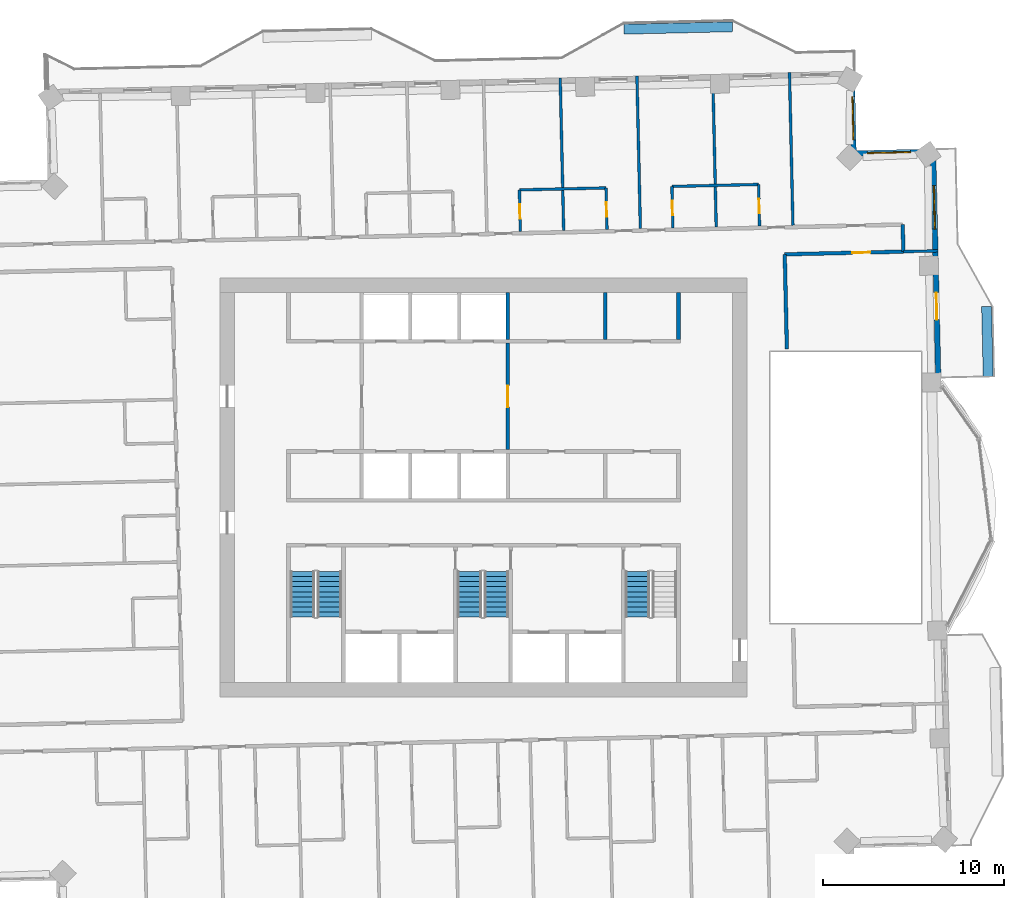
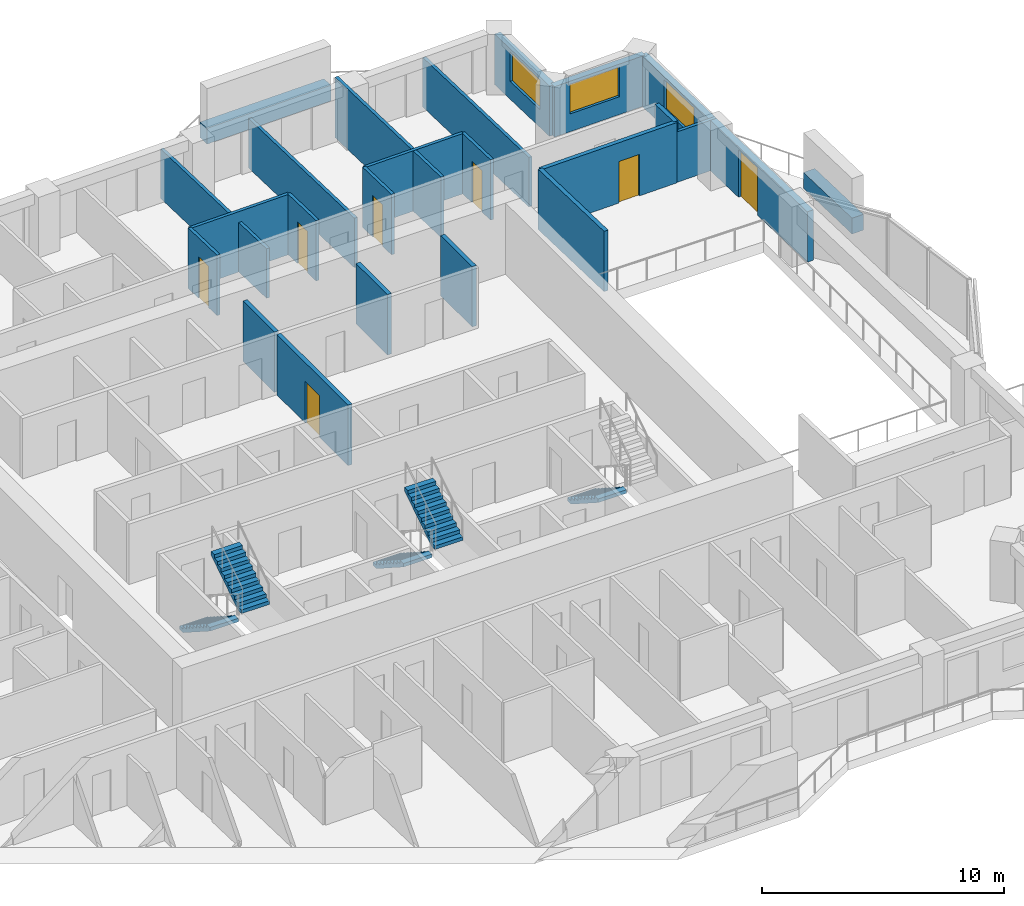
# One storey, part 12 of 17: 23 walls, 7 doors, 5 stair flights, 3 windows, 10 openings, 3 elements without a shape of their own.
"""IFC4 building model written with IfcOpenShell, lengths in metres."""

from ifc_helpers import new_model, si_unit, direction, frame, frame_2d, origin, place, context, subcontext, project, spatial, polyline, rectangle, outline, extrude, material, layer, layer_set, type_object, element, fill, aggregate, save


model = new_model("IFC4")

# Units and contexts
model_context = context("Model", 3, precision=1e-05, world=origin(), true_north=direction((0.0, 1.0)))
body_context = subcontext(model_context, "Body", "Model", "MODEL_VIEW")
ifc_project = project(units=[si_unit("LENGTHUNIT", "METRE"), si_unit("AREAUNIT", "SQUARE_METRE"), si_unit("VOLUMEUNIT", "CUBIC_METRE"), si_unit("PLANEANGLEUNIT", "RADIAN"), si_unit("MASSUNIT", "GRAM", prefix="KILO")], contexts=[model_context])

# Site, building, storey
site_placement = place(None, origin())
site = spatial("IfcSite", under=ifc_project, at=site_placement, CompositionType="ELEMENT")
building_placement = place(site_placement, origin())
building = spatial("IfcBuilding", under=site, at=building_placement, Name="Mangrove Gate Tower", CompositionType="ELEMENT")
storey_placement = place(building_placement, frame((0.0, 0.0, 241.89990234375)))
storey = spatial("IfcBuildingStorey", under=building, at=storey_placement, Name="L61", CompositionType="ELEMENT", Elevation=241.89990234375)

# Wall, opening, door
ifc_material_1 = material(Name="Concrete C32/40", Category="concrete")
ifc_layer_1 = layer(ifc_material_1, 0.199951171875)
ifc_layer_set_1 = layer_set([ifc_layer_1], Name="Core lobby wall 200 C32/40")
wall_type_1 = type_object("IfcWallType", Name="Core lobby wall 200 C32/40", PredefinedType="STANDARD", material=ifc_layer_set_1)
wall_1_placement = place(storey_placement, frame((1.35009765625, 2.10009765625, 0.0), z_axis=(0.0, 0.0, 1.0), x_axis=(0.0, 1.0, 0.0)))
wall_1 = element("IfcWall", 1, at=wall_1_placement, inside=storey, type_object=wall_type_1, Name="WALL-L61-CORE-34", PredefinedType="STANDARD", context=body_context, shape_type="SweptSolid", body=[
    extrude(rectangle(XDim=5.89990234375, YDim=0.199951171875, at=frame_2d((2.949951171875, 0.0))), origin(), (0.0, 0.0, 1.0), 3.050048828125),
])
opening_1_placement = place(wall_1_placement, frame((2.35009765625, 0.0, 0.0)))
opening_1 = element("IfcOpeningElement", 2, at=opening_1_placement, cuts=wall_1, Name="Opening FL12", PredefinedType="OPENING", context=body_context, shape_type="SweptSolid", body=[
    extrude(rectangle(XDim=1.199951171875, YDim=2.10009765625, at=frame_2d((0.60009765625, 1.050048828125))), frame((0.0, 0.10986328125, 0.0), z_axis=(0.0, -1.0, 0.0), x_axis=(1.0, 0.0, 0.0)), (0.0, 0.0, 1.0), 0.219970703125),
])
ifc_material_2 = material(Name="Fire-rated steel door set", Category="steel")
door_type_1 = type_object("IfcDoorType", Name="Lobby door FD60 1200x2100", OperationType="SINGLE_SWING_LEFT", PredefinedType="DOOR", material=ifc_material_2)
door_1_placement = place(opening_1_placement, origin())
door_1 = element("IfcDoor", 3, at=door_1_placement, inside=storey, type_object=door_type_1, Name="Lobby door lift lobby partition", OperationType="SINGLE_SWING_LEFT", OverallHeight=2.10009765625, OverallWidth=1.199951171875, PredefinedType="DOOR", context=body_context, shape_type="SweptSolid", body=[
    extrude(rectangle(XDim=1.199951171875, YDim=2.10009765625, at=frame_2d((0.60009765625, 1.050048828125))), frame((0.0, 0.02490234375, 0.0), z_axis=(0.0, -1.0, 0.0), x_axis=(1.0, 0.0, 0.0)), (0.0, 0.0, 1.0), 0.050048828125),
])
fill(opening_1, door_1)

# Walls
ifc_material_3 = material(Name="Concrete C32/40", Category="concrete")
ifc_layer_2 = layer(ifc_material_3, 0.199951171875)
ifc_layer_set_2 = layer_set([ifc_layer_2], Name="Core room wall 200 C32/40")
wall_type_2 = type_object("IfcWallType", Name="Core room wall 200 C32/40", PredefinedType="STANDARD", material=ifc_layer_set_2)
for number, where, z_axis, x_axis, name in (
    (4, (6.75, 8.199951171875, 0.0), (0.0, 0.0, 1.0), (0.0, 1.0, 0.0), "WALL-L61-CORE-31"),
    (5, (10.800048828125, 8.199951171875, 0.0), (0.0, 0.0, 1.0), (0.0, 1.0, 0.0), "WALL-L61-CORE-32"),
):
    element("IfcWall", number, at=place(storey_placement, frame(where, z_axis=z_axis, x_axis=x_axis)), inside=storey, type_object=wall_type_2, Name=name, PredefinedType="STANDARD", context=body_context, shape_type="SweptSolid", body=[
        extrude(rectangle(XDim=2.60009765625, YDim=0.199951171875, at=frame_2d((1.300048828125, 0.0))), origin(), (0.0, 0.0, 1.0), 3.050048828125),
    ])
ifc_material_4 = material(Name="Concrete C60/75", Category="concrete")
ifc_layer_3 = layer(ifc_material_4, 0.199951171875)
ifc_layer_set_3 = layer_set([ifc_layer_3], Name="Core shaft wall 200 C60/75")
wall_type_3 = type_object("IfcWallType", Name="Core shaft wall 200 C60/75", PredefinedType="SHEAR", material=ifc_layer_set_3)
wall_2_placement = place(storey_placement, frame((1.35009765625, 8.199951171875, 0.0), z_axis=(0.0, 0.0, 1.0), x_axis=(0.0, 1.0, 0.0)))
element("IfcWall", 6, at=wall_2_placement, inside=storey, type_object=wall_type_3, Name="WALL-L61-CORE-30", PredefinedType="SHEAR", context=body_context, shape_type="SweptSolid", body=[
    extrude(rectangle(XDim=2.60009765625, YDim=0.199951171875, at=frame_2d((1.300048828125, 0.0))), origin(), (0.0, 0.0, 1.0), 3.050048828125),
])
ifc_material_5 = material(Name="Gypsum board on steel stud, EI 60", Category="steel")
ifc_layer_4 = layer(ifc_material_5, 0.199951171875)
ifc_layer_set_4 = layer_set([ifc_layer_4], Name="Corridor wall EI 60")
wall_type_4 = type_object("IfcWallType", Name="Corridor wall EI 60", PredefinedType="PARTITIONING", material=ifc_layer_set_4)
wall_3_placement = place(storey_placement, frame((16.802978515625, 7.675048828125, 0.0), z_axis=(0.0, 0.0, 1.0), x_axis=(-0.022667483124, 0.999743059595, 0.0)))
element("IfcWall", 7, at=wall_3_placement, inside=storey, type_object=wall_type_4, Name="WALL-L61-049", PredefinedType="PARTITIONING", context=body_context, shape_type="SweptSolid", body=[
    extrude(rectangle(XDim=5.245361328125, YDim=0.199951171875, at=frame_2d((2.62255859375, 0.0))), origin(), (0.0, 0.0, 1.0), 3.050048828125),
])

# Wall, opening, door
wall_4_placement = place(storey_placement, frame((16.678955078125, 12.91796875, 0.0), z_axis=(0.0, 0.0, 1.0), x_axis=(0.999739125025, 0.022840356696, 0.0)))
wall_4 = element("IfcWall", 8, at=wall_4_placement, inside=storey, type_object=wall_type_4, Name="WALL-L61-055", PredefinedType="PARTITIONING", context=body_context, shape_type="SweptSolid", body=[
    extrude(rectangle(XDim=6.57373046875, YDim=0.199951171875, at=frame_2d((3.286865234375, 0.0))), origin(), (0.0, 0.0, 1.0), 3.050048828125),
])
opening_2_placement = place(wall_4_placement, frame((3.75, 0.0, 0.0)))
opening_2 = element("IfcOpeningElement", 9, at=opening_2_placement, cuts=wall_4, Name="Opening AD", PredefinedType="OPENING", context=body_context, shape_type="SweptSolid", body=[
    extrude(rectangle(XDim=1.0, YDim=2.10009765625, at=frame_2d((0.5, 1.050048828125))), frame((0.0, 0.10986328125, 0.0), z_axis=(0.0, -1.0, 0.0), x_axis=(1.0, 0.0, 0.0)), (0.0, 0.0, 1.0), 0.219970703125),
])
ifc_material_6 = material(Name="Timber door leaf", Category="wood")
door_type_2 = type_object("IfcDoorType", Name="Amenity door 1000", OperationType="SINGLE_SWING_LEFT", PredefinedType="DOOR", material=ifc_material_6)
door_2_placement = place(opening_2_placement, origin())
door_2 = element("IfcDoor", 10, at=door_2_placement, inside=storey, type_object=door_type_2, Name="DOOR-L61-GAM-c3a", OperationType="SINGLE_SWING_RIGHT", OverallHeight=2.10009765625, OverallWidth=1.0, PredefinedType="DOOR", context=body_context, shape_type="SweptSolid", body=[
    extrude(rectangle(XDim=1.0, YDim=2.10009765625, at=frame_2d((0.5, 1.050048828125))), frame((0.0, 0.02490234375, 0.0), z_axis=(0.0, -1.0, 0.0), x_axis=(1.0, 0.0, 0.0)), (0.0, 0.0, 1.0), 0.050048828125),
])
fill(opening_2, door_2)

# Wall
wall_5_placement = place(storey_placement, frame((23.251953125, 13.068115234375, 0.0), z_axis=(0.0, 0.0, 1.0), x_axis=(-0.022636322434, 0.999743765625, 0.0)))
element("IfcWall", 11, at=wall_5_placement, inside=storey, type_object=wall_type_4, Name="WALL-L61-057", PredefinedType="PARTITIONING", context=body_context, shape_type="SweptSolid", body=[
    extrude(rectangle(XDim=1.499267578125, YDim=0.199951171875, at=frame_2d((0.74951171875, 0.0))), origin(), (0.0, 0.0, 1.0), 3.050048828125),
])

# Wall, openings, door, window
ifc_material_7 = material(Name="Limestone", Category="masonry")
ifc_layer_5 = layer(ifc_material_7, 0.0400390625, Name="Limestone cladding")
ifc_material_8 = material(Name="Ventilated air gap")
ifc_layer_6 = layer(ifc_material_8, 0.0400390625, Name="Ventilated cavity")
ifc_material_9 = material(Name="Mineral wool insulation")
ifc_layer_7 = layer(ifc_material_9, 0.06005859375, Name="Insulation")
ifc_material_10 = material(Name="Breather membrane")
ifc_layer_8 = layer(ifc_material_10, 0.001953125, Name="Breather membrane")
ifc_material_11 = material(Name="Concrete C20/25 blockwork", Category="masonry")
ifc_layer_9 = layer(ifc_material_11, 0.14990234375, Name="Blockwork backing wall")
ifc_material_12 = material(Name="Gypsum plaster")
ifc_layer_10 = layer(ifc_material_12, 0.008056640625, Name="Internal plaster")
ifc_layer_set_5 = layer_set([ifc_layer_5, ifc_layer_6, ifc_layer_7, ifc_layer_8, ifc_layer_9, ifc_layer_10], Name="External wall 300 limestone cladding")
wall_type_5 = type_object("IfcWallType", Name="External wall 300 limestone cladding", PredefinedType="SOLIDWALL", material=ifc_layer_set_5)
wall_6_placement = place(storey_placement, frame((25.202880859375, 5.31005859375, 0.0), z_axis=(0.0, 0.0, 1.0), x_axis=(-0.022708061432, 0.999742138727, 0.0)))
wall_6 = element("IfcWall", 12, at=wall_6_placement, inside=storey, type_object=wall_type_5, Name="WALL-L61-E2s1", PredefinedType="SOLIDWALL", context=body_context, shape_type="SweptSolid", body=[
    extrude(rectangle(XDim=13.29931640625, YDim=0.300048828125, at=frame_2d((6.649658203125, 0.0))), origin(), (0.0, 0.0, 1.0), 2.550048828125),
])
opening_3_placement = place(wall_6_placement, frame((3.986083984375, 0.0, 0.0)))
opening_3 = element("IfcOpeningElement", 13, at=opening_3_placement, cuts=wall_6, Name="Opening BD1", PredefinedType="OPENING", context=body_context, shape_type="SweptSolid", body=[
    extrude(rectangle(XDim=1.5, YDim=2.39990234375, at=frame_2d((0.75, 1.199951171875))), frame((0.0, 0.159912109375, 0.0), z_axis=(0.0, -1.0, 0.0), x_axis=(1.0, 0.0, 0.0)), (0.0, 0.0, 1.0), 0.320068359375),
])
opening_4_placement = place(wall_6_placement, frame((9.012939453125, 0.0, 0.89990234375)))
opening_4 = element("IfcOpeningElement", 14, at=opening_4_placement, cuts=wall_6, Name="Opening W2", PredefinedType="OPENING", context=body_context, shape_type="SweptSolid", body=[
    extrude(rectangle(XDim=2.39990234375, YDim=1.5, at=frame_2d((1.199951171875, 0.75))), frame((0.0, 0.159912109375, 0.0), z_axis=(0.0, -1.0, 0.0), x_axis=(1.0, 0.0, 0.0)), (0.0, 0.0, 1.0), 0.320068359375),
])
ifc_material_13 = material(Name="Aluminium frame with laminated clear glass", Category="aluminium")
door_type_3 = type_object("IfcDoorType", Name="Balcony sliding door 1500x2400", OperationType="SLIDING_TO_LEFT", PredefinedType="DOOR", material=ifc_material_13)
door_3_placement = place(opening_3_placement, origin())
door_3 = element("IfcDoor", 15, at=door_3_placement, inside=storey, type_object=door_type_3, Name="DOOR-L61-E2-1", OperationType="SLIDING_TO_LEFT", OverallHeight=2.39990234375, OverallWidth=1.5, PredefinedType="DOOR", context=body_context, shape_type="SweptSolid", body=[
    extrude(rectangle(XDim=1.5, YDim=2.39990234375, at=frame_2d((0.75, 1.199951171875))), frame((0.0, 0.02490234375, 0.0), z_axis=(0.0, -1.0, 0.0), x_axis=(1.0, 0.0, 0.0)), (0.0, 0.0, 1.0), 0.050048828125),
])
fill(opening_3, door_3)
ifc_material_14 = material(Name="Aluminium frame with double-glazed low-e glass", Category="aluminium")
window_type = type_object("IfcWindowType", Name="Corner room window 2400x1500", PartitioningType="DOUBLE_PANEL_VERTICAL", PredefinedType="WINDOW", material=ifc_material_14)
window_1_placement = place(opening_4_placement, origin())
window_1 = element("IfcWindow", 16, at=window_1_placement, inside=storey, type_object=window_type, Name="WIN-L61-E2-2", OverallHeight=1.5, OverallWidth=2.39990234375, PartitioningType="DOUBLE_PANEL_VERTICAL", PredefinedType="WINDOW", context=body_context, shape_type="SweptSolid", body=[
    extrude(rectangle(XDim=2.39990234375, YDim=1.5, at=frame_2d((1.199951171875, 0.75))), frame((0.0, 0.030029296875, 0.0), z_axis=(0.0, -1.0, 0.0), x_axis=(1.0, 0.0, 0.0)), (0.0, 0.0, 1.0), 0.06005859375),
])
fill(opening_4, window_1)

# Wall, opening, window
wall_7_placement = place(storey_placement, frame((24.90087890625, 18.60595703125, 0.0), z_axis=(0.0, 0.0, 1.0), x_axis=(-0.999747476176, -0.022471846368, 0.0)))
wall_7 = element("IfcWall", 17, at=wall_7_placement, inside=storey, type_object=wall_type_5, Name="WALL-L61-N3", PredefinedType="SOLIDWALL", context=body_context, shape_type="SweptSolid", body=[
    extrude(rectangle(XDim=4.400146484375, YDim=0.300048828125, at=frame_2d((2.2001953125, 0.0))), origin(), (0.0, 0.0, 1.0), 2.550048828125),
])
opening_5_placement = place(wall_7_placement, frame((1.24609375, 0.0, 0.89990234375)))
opening_5 = element("IfcOpeningElement", 18, at=opening_5_placement, cuts=wall_7, Name="Opening W2", PredefinedType="OPENING", context=body_context, shape_type="SweptSolid", body=[
    extrude(rectangle(XDim=2.39990234375, YDim=1.5, at=frame_2d((1.199951171875, 0.75))), frame((0.0, 0.159912109375, 0.0), z_axis=(0.0, -1.0, 0.0), x_axis=(1.0, 0.0, 0.0)), (0.0, 0.0, 1.0), 0.320068359375),
])
window_2_placement = place(opening_5_placement, origin())
window_2 = element("IfcWindow", 19, at=window_2_placement, inside=storey, type_object=window_type, Name="WIN-L61-N3-1", OverallHeight=1.5, OverallWidth=2.39990234375, PartitioningType="DOUBLE_PANEL_VERTICAL", PredefinedType="WINDOW", context=body_context, shape_type="SweptSolid", body=[
    extrude(rectangle(XDim=2.39990234375, YDim=1.5, at=frame_2d((1.199951171875, 0.75))), frame((0.0, 0.030029296875, 0.0), z_axis=(0.0, -1.0, 0.0), x_axis=(1.0, 0.0, 0.0)), (0.0, 0.0, 1.0), 0.06005859375),
])
fill(opening_5, window_2)

wall_8_placement = place(storey_placement, frame((20.501953125, 18.507080078125, 0.0), z_axis=(0.0, 0.0, 1.0), x_axis=(-0.02247683371, 0.999747364061, 0.0)))
wall_8 = element("IfcWall", 20, at=wall_8_placement, inside=storey, type_object=wall_type_5, Name="WALL-L61-E4", PredefinedType="SOLIDWALL", context=body_context, shape_type="SweptSolid", body=[
    extrude(rectangle(XDim=4.399169921875, YDim=0.300048828125, at=frame_2d((2.19970703125, 0.0))), origin(), (0.0, 0.0, 1.0), 2.550048828125),
])
opening_6_placement = place(wall_8_placement, frame((0.75, 0.0, 0.89990234375)))
opening_6 = element("IfcOpeningElement", 21, at=opening_6_placement, cuts=wall_8, Name="Opening W2", PredefinedType="OPENING", context=body_context, shape_type="SweptSolid", body=[
    extrude(rectangle(XDim=2.39990234375, YDim=1.5, at=frame_2d((1.199951171875, 0.75))), frame((0.0, 0.159912109375, 0.0), z_axis=(0.0, -1.0, 0.0), x_axis=(1.0, 0.0, 0.0)), (0.0, 0.0, 1.0), 0.320068359375),
])
window_3_placement = place(opening_6_placement, origin())
window_3 = element("IfcWindow", 22, at=window_3_placement, inside=storey, type_object=window_type, Name="WIN-L61-E4-1", OverallHeight=1.5, OverallWidth=2.39990234375, PartitioningType="DOUBLE_PANEL_VERTICAL", PredefinedType="WINDOW", context=body_context, shape_type="SweptSolid", body=[
    extrude(rectangle(XDim=2.39990234375, YDim=1.5, at=frame_2d((1.199951171875, 0.75))), frame((0.0, 0.030029296875, 0.0), z_axis=(0.0, -1.0, 0.0), x_axis=(1.0, 0.0, 0.0)), (0.0, 0.0, 1.0), 0.06005859375),
])
fill(opening_6, window_3)

# Wall
ifc_material_15 = material(Name="Gypsum board on steel stud, EI 60", Category="steel")
ifc_layer_11 = layer(ifc_material_15, 0.14990234375)
ifc_layer_set_6 = layer_set([ifc_layer_11], Name="Party wall 150 EI 60")
wall_type_6 = type_object("IfcWallType", Name="Party wall 150 EI 60", PredefinedType="PARTITIONING", material=ifc_layer_set_6)
wall_9_placement = place(storey_placement, frame((23.2509765625, 13.068115234375, 0.0), z_axis=(0.0, 0.0, 1.0), x_axis=(0.999750982596, 0.022315304114, 0.0)))
element("IfcWall", 23, at=wall_9_placement, inside=storey, type_object=wall_type_6, Name="WALL-L61-056", PredefinedType="PARTITIONING", context=body_context, shape_type="SweptSolid", body=[
    extrude(rectangle(XDim=1.925537109375, YDim=0.14990234375, at=frame_2d((0.962890625, 0.0))), origin(), (0.0, 0.0, 1.0), 2.550048828125),
])

# Wall, opening, door
wall_10_placement = place(storey_placement, frame((2.0419921875, 14.18701171875, 0.0), z_axis=(0.0, 0.0, 1.0), x_axis=(-0.023037316498, 0.999734605807, 0.0)))
wall_10 = element("IfcWall", 24, at=wall_10_placement, inside=storey, type_object=wall_type_6, Name="WALL-L61-070", PredefinedType="PARTITIONING", context=body_context, shape_type="SweptSolid", body=[
    extrude(rectangle(XDim=2.299560546875, YDim=0.14990234375, at=frame_2d((1.14990234375, 0.0))), origin(), (0.0, 0.0, 1.0), 3.050048828125),
])
opening_7_placement = place(wall_10_placement, frame((0.699951171875, 0.0, 0.0)))
opening_7 = element("IfcOpeningElement", 25, at=opening_7_placement, cuts=wall_10, Name="Opening ED", PredefinedType="OPENING", context=body_context, shape_type="SweptSolid", body=[
    extrude(rectangle(XDim=0.800048828125, YDim=2.10009765625, at=frame_2d((0.39990234375, 1.050048828125))), frame((0.0, 0.0849609375, 0.0), z_axis=(0.0, -1.0, 0.0), x_axis=(1.0, 0.0, 0.0)), (0.0, 0.0, 1.0), 0.169921875),
])
ifc_material_16 = material(Name="Timber door leaf", Category="wood")
door_type_4 = type_object("IfcDoorType", Name="En-suite door 800", OperationType="SINGLE_SWING_LEFT", PredefinedType="DOOR", material=ifc_material_16)
door_4_placement = place(opening_7_placement, origin())
door_4 = element("IfcDoor", 26, at=door_4_placement, inside=storey, type_object=door_type_4, Name="DOOR-L61-ENS-c412", OperationType="SINGLE_SWING_RIGHT", OverallHeight=2.10009765625, OverallWidth=0.800048828125, PredefinedType="DOOR", context=body_context, shape_type="SweptSolid", body=[
    extrude(rectangle(XDim=0.800048828125, YDim=2.10009765625, at=frame_2d((0.39990234375, 1.050048828125))), frame((0.0, 0.02490234375, 0.0), z_axis=(0.0, -1.0, 0.0), x_axis=(1.0, 0.0, 0.0)), (0.0, 0.0, 1.0), 0.050048828125),
])
fill(opening_7, door_4)

# Wall
wall_11_placement = place(storey_placement, frame((4.44091796875, 14.240966796875, 0.0), z_axis=(0.0, 0.0, 1.0), x_axis=(-0.022708935798, 0.999742118866, 0.0)))
element("IfcWall", 27, at=wall_11_placement, inside=storey, type_object=wall_type_6, Name="WALL-L61-071", PredefinedType="PARTITIONING", context=body_context, shape_type="SweptSolid", body=[
    extrude(rectangle(XDim=8.4501953125, YDim=0.14990234375, at=frame_2d((4.22509765625, 0.0))), origin(), (0.0, 0.0, 1.0), 2.5),
])

# Wall, opening, door
wall_12_placement = place(storey_placement, frame((6.840087890625, 14.2958984375, 0.0), z_axis=(0.0, 0.0, 1.0), x_axis=(-0.022612884682, 0.999744296031, 0.0)))
wall_12 = element("IfcWall", 28, at=wall_12_placement, inside=storey, type_object=wall_type_6, Name="WALL-L61-072", PredefinedType="PARTITIONING", context=body_context, shape_type="SweptSolid", body=[
    extrude(rectangle(XDim=2.299560546875, YDim=0.14990234375, at=frame_2d((1.14990234375, 0.0))), origin(), (0.0, 0.0, 1.0), 3.050048828125),
])
opening_8_placement = place(wall_12_placement, frame((0.699951171875, 0.0, 0.0)))
opening_8 = element("IfcOpeningElement", 29, at=opening_8_placement, cuts=wall_12, Name="Opening ED", PredefinedType="OPENING", context=body_context, shape_type="SweptSolid", body=[
    extrude(rectangle(XDim=0.800048828125, YDim=2.10009765625, at=frame_2d((0.39990234375, 1.050048828125))), frame((0.0, 0.0849609375, 0.0), z_axis=(0.0, -1.0, 0.0), x_axis=(1.0, 0.0, 0.0)), (0.0, 0.0, 1.0), 0.169921875),
])
door_5_placement = place(opening_8_placement, origin())
door_5 = element("IfcDoor", 30, at=door_5_placement, inside=storey, type_object=door_type_4, Name="DOOR-L61-ENS-c311", OperationType="SINGLE_SWING_LEFT", OverallHeight=2.10009765625, OverallWidth=0.800048828125, PredefinedType="DOOR", context=body_context, shape_type="SweptSolid", body=[
    extrude(rectangle(XDim=0.800048828125, YDim=2.10009765625, at=frame_2d((0.39990234375, 1.050048828125))), frame((0.0, 0.02490234375, 0.0), z_axis=(0.0, -1.0, 0.0), x_axis=(1.0, 0.0, 0.0)), (0.0, 0.0, 1.0), 0.050048828125),
])
fill(opening_8, door_5)

# Wall
wall_13_placement = place(storey_placement, frame((8.68994140625, 14.337890625, 0.0), z_axis=(0.0, 0.0, 1.0), x_axis=(-0.022711559831, 0.999742059258, 0.0)))
element("IfcWall", 31, at=wall_13_placement, inside=storey, type_object=wall_type_6, Name="WALL-L61-073", PredefinedType="PARTITIONING", context=body_context, shape_type="SweptSolid", body=[
    extrude(rectangle(XDim=8.44921875, YDim=0.14990234375, at=frame_2d((4.224609375, 0.0))), origin(), (0.0, 0.0, 1.0), 2.5),
])

# Wall, opening, door
wall_14_placement = place(storey_placement, frame((10.489013671875, 14.3779296875, 0.0), z_axis=(0.0, 0.0, 1.0), x_axis=(-0.022603288534, 0.999744513037, 0.0)))
wall_14 = element("IfcWall", 32, at=wall_14_placement, inside=storey, type_object=wall_type_6, Name="WALL-L61-074", PredefinedType="PARTITIONING", context=body_context, shape_type="SweptSolid", body=[
    extrude(rectangle(XDim=2.300537109375, YDim=0.14990234375, at=frame_2d((1.150390625, 0.0))), origin(), (0.0, 0.0, 1.0), 3.050048828125),
])
opening_9_placement = place(wall_14_placement, frame((0.699951171875, 0.0, 0.0)))
opening_9 = element("IfcOpeningElement", 33, at=opening_9_placement, cuts=wall_14, Name="Opening ED", PredefinedType="OPENING", context=body_context, shape_type="SweptSolid", body=[
    extrude(rectangle(XDim=0.800048828125, YDim=2.10009765625, at=frame_2d((0.39990234375, 1.050048828125))), frame((0.0, 0.0849609375, 0.0), z_axis=(0.0, -1.0, 0.0), x_axis=(1.0, 0.0, 0.0)), (0.0, 0.0, 1.0), 0.169921875),
])
door_6_placement = place(opening_9_placement, origin())
door_6 = element("IfcDoor", 34, at=door_6_placement, inside=storey, type_object=door_type_4, Name="DOOR-L61-ENS-c310", OperationType="SINGLE_SWING_RIGHT", OverallHeight=2.10009765625, OverallWidth=0.800048828125, PredefinedType="DOOR", context=body_context, shape_type="SweptSolid", body=[
    extrude(rectangle(XDim=0.800048828125, YDim=2.10009765625, at=frame_2d((0.39990234375, 1.050048828125))), frame((0.0, 0.02490234375, 0.0), z_axis=(0.0, -1.0, 0.0), x_axis=(1.0, 0.0, 0.0)), (0.0, 0.0, 1.0), 0.050048828125),
])
fill(opening_9, door_6)

# Wall
wall_15_placement = place(storey_placement, frame((12.888916015625, 14.43310546875, 0.0), z_axis=(0.0, 0.0, 1.0), x_axis=(-0.022708935798, 0.999742118866, 0.0)))
element("IfcWall", 35, at=wall_15_placement, inside=storey, type_object=wall_type_6, Name="WALL-L61-075", PredefinedType="PARTITIONING", context=body_context, shape_type="SweptSolid", body=[
    extrude(rectangle(XDim=8.4501953125, YDim=0.14990234375, at=frame_2d((4.22509765625, 0.0))), origin(), (0.0, 0.0, 1.0), 3.050048828125),
])

# Wall, opening, door
wall_16_placement = place(storey_placement, frame((15.2880859375, 14.487060546875, 0.0), z_axis=(0.0, 0.0, 1.0), x_axis=(-0.022603288534, 0.999744513037, 0.0)))
wall_16 = element("IfcWall", 36, at=wall_16_placement, inside=storey, type_object=wall_type_6, Name="WALL-L61-076", PredefinedType="PARTITIONING", context=body_context, shape_type="SweptSolid", body=[
    extrude(rectangle(XDim=2.300537109375, YDim=0.14990234375, at=frame_2d((1.150390625, 0.0))), origin(), (0.0, 0.0, 1.0), 3.050048828125),
])
opening_10_placement = place(wall_16_placement, frame((0.699951171875, 0.0, 0.0)))
opening_10 = element("IfcOpeningElement", 37, at=opening_10_placement, cuts=wall_16, Name="Opening ED", PredefinedType="OPENING", context=body_context, shape_type="SweptSolid", body=[
    extrude(rectangle(XDim=0.800048828125, YDim=2.10009765625, at=frame_2d((0.39990234375, 1.050048828125))), frame((0.0, 0.0849609375, 0.0), z_axis=(0.0, -1.0, 0.0), x_axis=(1.0, 0.0, 0.0)), (0.0, 0.0, 1.0), 0.169921875),
])
door_7_placement = place(opening_10_placement, origin())
door_7 = element("IfcDoor", 38, at=door_7_placement, inside=storey, type_object=door_type_4, Name="DOOR-L61-ENS-c309", OperationType="SINGLE_SWING_LEFT", OverallHeight=2.10009765625, OverallWidth=0.800048828125, PredefinedType="DOOR", context=body_context, shape_type="SweptSolid", body=[
    extrude(rectangle(XDim=0.800048828125, YDim=2.10009765625, at=frame_2d((0.39990234375, 1.050048828125))), frame((0.0, 0.02490234375, 0.0), z_axis=(0.0, -1.0, 0.0), x_axis=(1.0, 0.0, 0.0)), (0.0, 0.0, 1.0), 0.050048828125),
])
fill(opening_10, door_7)

# Walls
wall_17_placement = place(storey_placement, frame((17.137939453125, 14.529052734375, 0.0), z_axis=(0.0, 0.0, 1.0), x_axis=(-0.022708935798, 0.999742118866, 0.0)))
element("IfcWall", 39, at=wall_17_placement, inside=storey, type_object=wall_type_6, Name="WALL-L61-077", PredefinedType="PARTITIONING", context=body_context, shape_type="SweptSolid", body=[
    extrude(rectangle(XDim=8.4501953125, YDim=0.14990234375, at=frame_2d((4.22509765625, 0.0))), origin(), (0.0, 0.0, 1.0), 2.5),
])
for number, where, z_axis, x_axis, name in (
    (40, (1.985107421875, 16.486083984375, 0.0), (0.0, 0.0, 1.0), (0.999742675121, 0.022684433919, 0.0), "WALL-L61-081"),
    (41, (10.43310546875, 16.677978515625, 0.0), (0.0, 0.0, 1.0), (0.999741520352, 0.022735269617, 0.0), "WALL-L61-082"),
):
    element("IfcWall", number, at=place(storey_placement, frame(where, z_axis=z_axis, x_axis=x_axis)), inside=storey, type_object=wall_type_6, Name=name, PredefinedType="PARTITIONING", context=body_context, shape_type="SweptSolid", body=[
        extrude(rectangle(XDim=4.800048828125, YDim=0.14990234375, at=frame_2d((2.39990234375, 0.0))), origin(), (0.0, 0.0, 1.0), 3.050048828125),
    ])
ifc_material_17 = material(Name="Concrete C32/40", Category="concrete")
ifc_layer_12 = layer(ifc_material_17, 0.199951171875, Name="Planter trough wall")
ifc_material_18 = material(Name="Bituminous waterproofing membrane")
ifc_layer_13 = layer(ifc_material_18, 0.0048828125, Name="Waterproofing")
ifc_material_19 = material(Name="Drainage board and gravel")
ifc_layer_14 = layer(ifc_material_19, 0.044921875, Name="Drainage layer")
ifc_material_20 = material(Name="Planting soil")
ifc_layer_15 = layer(ifc_material_20, 0.300048828125, Name="Growing medium")
ifc_layer_set_7 = layer_set([ifc_layer_12, ifc_layer_13, ifc_layer_14, ifc_layer_15], Name="Planter wall 550 C32/40")
wall_type_7 = type_object("IfcWallType", Name="Planter wall 550 C32/40", PredefinedType="USERDEFINED", material=ifc_layer_set_7)
wall_18_placement = place(storey_placement, frame((27.949951171875, 6.14794921875, 0.0), z_axis=(0.0, 0.0, 1.0), x_axis=(-0.022681332769, 0.999742745482, 0.0)))
element("IfcWall", 42, at=wall_18_placement, inside=storey, type_object=wall_type_7, Name="PLANTER L61 E1.1", ObjectType="PLANTER", PredefinedType="USERDEFINED", context=body_context, shape_type="SweptSolid", body=[
    extrude(rectangle(XDim=3.875, YDim=0.550048828125, at=frame_2d((1.9375, 0.0))), origin(), (0.0, 0.0, 1.0), 0.800048828125),
])
wall_19_placement = place(storey_placement, frame((7.7890625, 25.385009765625, 0.0), z_axis=(0.0, 0.0, 1.0), x_axis=(0.999743094499, 0.022665943652, 0.0)))
element("IfcWall", 43, at=wall_19_placement, inside=storey, type_object=wall_type_7, Name="PLANTER L61 N0.1", ObjectType="PLANTER", PredefinedType="USERDEFINED", context=body_context, shape_type="SweptSolid", body=[
    extrude(rectangle(XDim=5.99951171875, YDim=0.550048828125, at=frame_2d((2.999755859375, 0.0))), origin(), (0.0, 0.0, 1.0), 0.800048828125),
])

# Stair, stair flights
ifc_material_21 = material(Name="Concrete C40/50", Category="concrete")
stair_type = type_object("IfcStairType", Name="Core stair 1350", PredefinedType="HALF_TURN_STAIR", material=ifc_material_21)
stair_1_placement = place(storey_placement, origin())
stair_1 = element("IfcStair", 44, at=stair_1_placement, inside=storey, type_object=stair_type, Name="L61 Stair 1", PredefinedType="HALF_TURN_STAIR")
ifc_material_22 = material(Name="Concrete C40/50", Category="concrete")
stair_flight_type = type_object("IfcStairFlightType", Name="Core stair flight 1350", PredefinedType="STRAIGHT", material=ifc_material_22)
stair_flight_1_placement = place(storey_placement, frame((-10.02490234375, -4.64990234375, 0.0), z_axis=(0.0, 0.0, 1.0), x_axis=(0.0, -1.0, 0.0)))
stair_flight_1 = element("IfcStairFlight", 45, at=stair_flight_1_placement, type_object=stair_flight_type, Name="ST1 flight 1", NumberOfRisers=10, NumberOfTreads=9, PredefinedType="STRAIGHT", RiserHeight=0.18, TreadLength=0.28, context=body_context, shape_type="SweptSolid", body=[
    extrude(outline(polyline([(0.0, 0.0), (0.0, 0.179931640625), (0.280029296875, 0.179931640625), (0.280029296875, 0.360107421875), (0.56005859375, 0.360107421875), (0.56005859375, 0.5400390625), (0.840087890625, 0.5400390625), (0.840087890625, 0.719970703125), (1.1201171875, 0.719970703125), (1.1201171875, 0.89990234375), (1.39990234375, 0.89990234375), (1.39990234375, 1.080078125), (1.679931640625, 1.080078125), (1.679931640625, 1.260009765625), (1.9599609375, 1.260009765625), (1.9599609375, 1.43994140625), (2.239990234375, 1.43994140625), (2.239990234375, 1.6201171875), (2.52001953125, 1.6201171875), (2.52001953125, 1.800048828125), (2.52001953125, 1.44189453125), (0.277099609375, 0.0), (0.0, 0.0)])), frame((0.0, 0.675048828125, 0.0), z_axis=(0.0, -1.0, 0.0), x_axis=(1.0, 0.0, 0.0)), (0.0, 0.0, 1.0), 1.35009765625),
])
stair_flight_2_placement = place(storey_placement, frame((-8.52490234375, -7.169921875, 1.800048828125), z_axis=(0.0, 0.0, 1.0), x_axis=(0.0, 1.0, 0.0)))
stair_flight_2 = element("IfcStairFlight", 46, at=stair_flight_2_placement, type_object=stair_flight_type, Name="ST1 flight 2", NumberOfRisers=10, NumberOfTreads=9, PredefinedType="STRAIGHT", RiserHeight=0.18, TreadLength=0.28, context=body_context, shape_type="SweptSolid", body=[
    extrude(outline(polyline([(0.0, 0.0), (0.0, 0.179931640625), (0.280029296875, 0.179931640625), (0.280029296875, 0.360107421875), (0.56005859375, 0.360107421875), (0.56005859375, 0.5400390625), (0.840087890625, 0.5400390625), (0.840087890625, 0.719970703125), (1.1201171875, 0.719970703125), (1.1201171875, 0.89990234375), (1.39990234375, 0.89990234375), (1.39990234375, 1.080078125), (1.679931640625, 1.080078125), (1.679931640625, 1.260009765625), (1.9599609375, 1.260009765625), (1.9599609375, 1.43994140625), (2.239990234375, 1.43994140625), (2.239990234375, 1.6201171875), (2.52001953125, 1.6201171875), (2.52001953125, 1.800048828125), (2.52001953125, 1.44189453125), (0.277099609375, 0.0), (0.0, 0.0)])), frame((0.0, 0.675048828125, 0.0), z_axis=(0.0, -1.0, 0.0), x_axis=(1.0, 0.0, 0.0)), (0.0, 0.0, 1.0), 1.35009765625),
])
aggregate(stair_1, [stair_flight_1, stair_flight_2])

stair_2_placement = place(storey_placement, origin())
stair_2 = element("IfcStair", 47, at=stair_2_placement, inside=storey, type_object=stair_type, Name="L61 Stair 2", PredefinedType="HALF_TURN_STAIR")
stair_flight_3_placement = place(storey_placement, frame((-0.77490234375, -4.64990234375, 0.0), z_axis=(0.0, 0.0, 1.0), x_axis=(0.0, -1.0, 0.0)))
stair_flight_3 = element("IfcStairFlight", 48, at=stair_flight_3_placement, type_object=stair_flight_type, Name="ST2 flight 1", NumberOfRisers=10, NumberOfTreads=9, PredefinedType="STRAIGHT", RiserHeight=0.18, TreadLength=0.28, context=body_context, shape_type="SweptSolid", body=[
    extrude(outline(polyline([(0.0, 0.0), (0.0, 0.179931640625), (0.280029296875, 0.179931640625), (0.280029296875, 0.360107421875), (0.56005859375, 0.360107421875), (0.56005859375, 0.5400390625), (0.840087890625, 0.5400390625), (0.840087890625, 0.719970703125), (1.1201171875, 0.719970703125), (1.1201171875, 0.89990234375), (1.39990234375, 0.89990234375), (1.39990234375, 1.080078125), (1.679931640625, 1.080078125), (1.679931640625, 1.260009765625), (1.9599609375, 1.260009765625), (1.9599609375, 1.43994140625), (2.239990234375, 1.43994140625), (2.239990234375, 1.6201171875), (2.52001953125, 1.6201171875), (2.52001953125, 1.800048828125), (2.52001953125, 1.44189453125), (0.277099609375, 0.0), (0.0, 0.0)])), frame((0.0, 0.675048828125, 0.0), z_axis=(0.0, -1.0, 0.0), x_axis=(1.0, 0.0, 0.0)), (0.0, 0.0, 1.0), 1.35009765625),
])
stair_flight_4_placement = place(storey_placement, frame((0.72509765625, -7.169921875, 1.800048828125), z_axis=(0.0, 0.0, 1.0), x_axis=(0.0, 1.0, 0.0)))
stair_flight_4 = element("IfcStairFlight", 49, at=stair_flight_4_placement, type_object=stair_flight_type, Name="ST2 flight 2", NumberOfRisers=10, NumberOfTreads=9, PredefinedType="STRAIGHT", RiserHeight=0.18, TreadLength=0.28, context=body_context, shape_type="SweptSolid", body=[
    extrude(outline(polyline([(0.0, 0.0), (0.0, 0.179931640625), (0.280029296875, 0.179931640625), (0.280029296875, 0.360107421875), (0.56005859375, 0.360107421875), (0.56005859375, 0.5400390625), (0.840087890625, 0.5400390625), (0.840087890625, 0.719970703125), (1.1201171875, 0.719970703125), (1.1201171875, 0.89990234375), (1.39990234375, 0.89990234375), (1.39990234375, 1.080078125), (1.679931640625, 1.080078125), (1.679931640625, 1.260009765625), (1.9599609375, 1.260009765625), (1.9599609375, 1.43994140625), (2.239990234375, 1.43994140625), (2.239990234375, 1.6201171875), (2.52001953125, 1.6201171875), (2.52001953125, 1.800048828125), (2.52001953125, 1.44189453125), (0.277099609375, 0.0), (0.0, 0.0)])), frame((0.0, 0.675048828125, 0.0), z_axis=(0.0, -1.0, 0.0), x_axis=(1.0, 0.0, 0.0)), (0.0, 0.0, 1.0), 1.35009765625),
])
aggregate(stair_2, [stair_flight_3, stair_flight_4])

# Stair, stair flight
stair_3_placement = place(storey_placement, origin())
stair_3 = element("IfcStair", 50, at=stair_3_placement, inside=storey, type_object=stair_type, Name="L61 Stair 3", PredefinedType="HALF_TURN_STAIR")
stair_flight_5_placement = place(storey_placement, frame((8.52490234375, -4.64990234375, 0.0), z_axis=(0.0, 0.0, 1.0), x_axis=(0.0, -1.0, 0.0)))
stair_flight_5 = element("IfcStairFlight", 51, at=stair_flight_5_placement, type_object=stair_flight_type, Name="ST3 flight 1", NumberOfRisers=10, NumberOfTreads=9, PredefinedType="STRAIGHT", RiserHeight=0.18, TreadLength=0.28, context=body_context, shape_type="SweptSolid", body=[
    extrude(outline(polyline([(0.0, 0.0), (0.0, 0.179931640625), (0.280029296875, 0.179931640625), (0.280029296875, 0.360107421875), (0.56005859375, 0.360107421875), (0.56005859375, 0.5400390625), (0.840087890625, 0.5400390625), (0.840087890625, 0.719970703125), (1.1201171875, 0.719970703125), (1.1201171875, 0.89990234375), (1.39990234375, 0.89990234375), (1.39990234375, 1.080078125), (1.679931640625, 1.080078125), (1.679931640625, 1.260009765625), (1.9599609375, 1.260009765625), (1.9599609375, 1.43994140625), (2.239990234375, 1.43994140625), (2.239990234375, 1.6201171875), (2.52001953125, 1.6201171875), (2.52001953125, 1.800048828125), (2.52001953125, 1.44189453125), (0.277099609375, 0.0), (0.0, 0.0)])), frame((0.0, 0.675048828125, 0.0), z_axis=(0.0, -1.0, 0.0), x_axis=(1.0, 0.0, 0.0)), (0.0, 0.0, 1.0), 1.35009765625),
])
aggregate(stair_3, [stair_flight_5])

save(model, "model.ifc")
